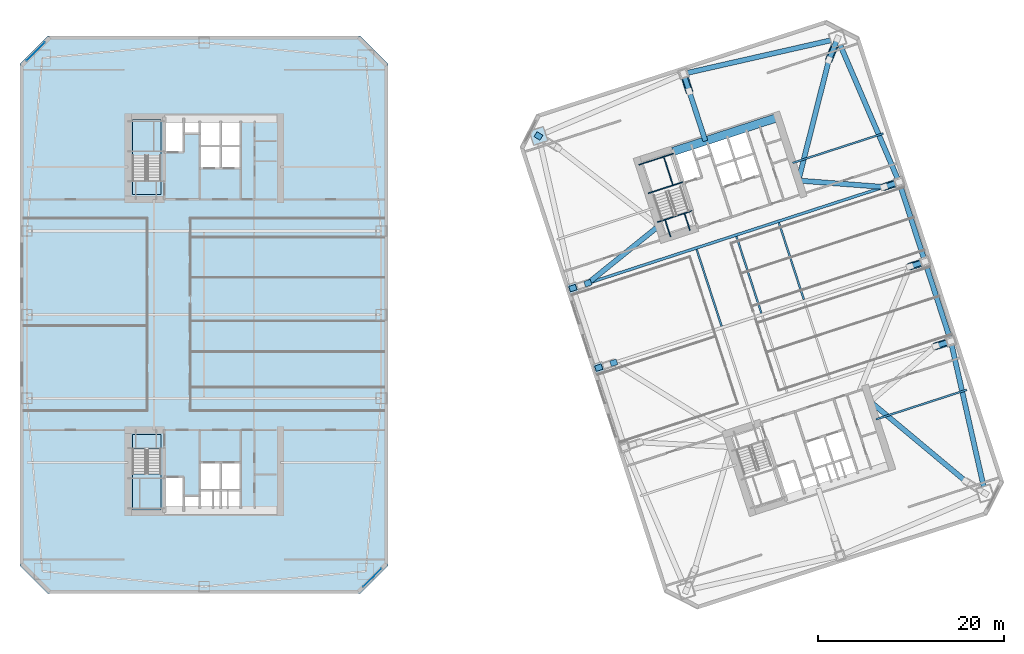
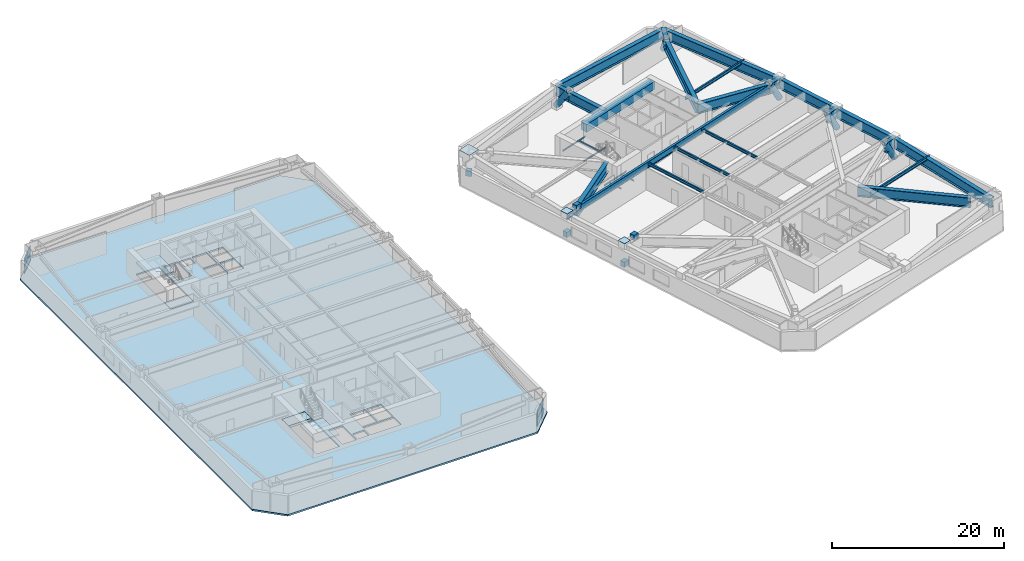
# One storey, part 9 of 18: 28 beams, 12 plates, 5 members, 5 slabs, 4 elements without a shape of their own.
"""IFC4 building model written with IfcOpenShell, lengths in metres."""

from ifc_helpers import new_model, si_unit, direction, frame, origin, origin_2d, place, context, subcontext, project, spatial, polyline, rectangle, hollow_circle, i_section, outline, extrude, material, layer, layer_set, material_profile, profile_set, type_object, element, aggregate, save


model = new_model("IFC4")

# Units and contexts
model_context = context("Model", 3, precision=1e-05, world=origin(), true_north=direction((0.0, 1.0)))
body_context = subcontext(model_context, "Body", "Model", "MODEL_VIEW")
ifc_project = project(units=[si_unit("LENGTHUNIT", "METRE"), si_unit("AREAUNIT", "SQUARE_METRE"), si_unit("VOLUMEUNIT", "CUBIC_METRE"), si_unit("PLANEANGLEUNIT", "RADIAN"), si_unit("MASSUNIT", "GRAM", prefix="KILO")], contexts=[model_context])

# Site, building, storey
site_placement = place(None, origin())
site = spatial("IfcSite", under=ifc_project, at=site_placement, CompositionType="ELEMENT")
building_placement = place(site_placement, origin())
building = spatial("IfcBuilding", under=site, at=building_placement, Name="Qiaolan Cultural Towers", CompositionType="ELEMENT")
storey_placement = place(building_placement, frame((0.0, 0.0, 74.75)))
storey = spatial("IfcBuildingStorey", under=building, at=storey_placement, Name="L18", CompositionType="ELEMENT", Elevation=74.75)

# Beams
ifc_material_1 = material(Name="Steel Q420GJB", Category="steel")
ifc_material_profile_1 = material_profile(ifc_material_1, i_section(OverallWidth=0.550048828125, OverallDepth=1.39990234375, WebThickness=0.031982421875, FlangeThickness=0.050048828125, at=origin_2d()), Name="BH1400x550x32x50")
ifc_profile_set_1 = profile_set([ifc_material_profile_1], Name="Steel Q420GJB")
beam_type_1 = type_object("IfcBeamType", Name="BM-BH1400x550x32x50", PredefinedType="BEAM", material=ifc_profile_set_1)
beam_1_placement = place(storey_placement, frame((111.930908203125, 16.080078125, 2.530029296875), z_axis=(-0.767936882971, 0.640525521563, 0.0), x_axis=(-0.640525521563, -0.767936882971, 0.0)))
element("IfcBeam", 1, at=beam_1_placement, inside=storey, type_object=beam_type_1, Name="L18 T2 Setback Transfer Girder MC-SE-B", PredefinedType="BEAM", context=body_context, shape_type="SweptSolid", body=[
    extrude(i_section(OverallWidth=0.550048828125, OverallDepth=1.39990234375, WebThickness=0.031982421875, FlangeThickness=0.050048828125, at=origin_2d()), origin(), (0.0, 0.0, 1.0), 13.372802734375),
])
beam_2_placement = place(storey_placement, frame((98.137451171875, 63.67724609375, 2.530029296875), z_axis=(-0.375732642979, -0.926728105217, 0.0), x_axis=(0.926728105217, -0.375732642979, 0.0)))
element("IfcBeam", 2, at=beam_2_placement, inside=storey, type_object=beam_type_1, Name="L18 T2 Setback Transfer Girder MC-NE-A", PredefinedType="BEAM", context=body_context, shape_type="SweptSolid", body=[
    extrude(i_section(OverallWidth=0.550048828125, OverallDepth=1.39990234375, WebThickness=0.031982421875, FlangeThickness=0.050048828125, at=origin_2d()), origin(), (0.0, 0.0, 1.0), 2.4697265625),
])
beam_3_placement = place(storey_placement, frame((97.20947265625, 61.388427734375, 2.530029296875), z_axis=(-0.244777250928, -0.96957934045, 0.0), x_axis=(0.96957934045, -0.244777250928, 0.0)))
element("IfcBeam", 3, at=beam_3_placement, inside=storey, type_object=beam_type_1, Name="L18 T2 Setback Transfer Girder MC-NE-B", PredefinedType="BEAM", context=body_context, shape_type="SweptSolid", body=[
    extrude(i_section(OverallWidth=0.550048828125, OverallDepth=1.39990234375, WebThickness=0.031982421875, FlangeThickness=0.050048828125, at=origin_2d()), origin(), (0.0, 0.0, 1.0), 13.373046875),
])
beam_4_placement = place(storey_placement, frame((71.28857421875, 37.383544921875, 2.530029296875), z_axis=(0.777884017096, 0.628407873874, 0.0), x_axis=(-0.628407873874, 0.777884017096, 0.0)))
element("IfcBeam", 4, at=beam_4_placement, inside=storey, type_object=beam_type_1, Name="L18 T2 Setback Transfer Girder PC-W3-B", PredefinedType="BEAM", context=body_context, shape_type="SweptSolid", body=[
    extrude(i_section(OverallWidth=0.550048828125, OverallDepth=1.39990234375, WebThickness=0.031982421875, FlangeThickness=0.050048828125, at=origin_2d()), origin(), (0.0, 0.0, 1.0), 9.796630859375),
])
for number, where, z_axis, x_axis, name in (
    (5, (110.328125, 31.141845703125, 2.530029296875), (-0.951040401051, -0.309066587596, 0.0), (0.309066587596, -0.951040401051, 0.0), "L18 T2 Setback Transfer Girder PC-E1-A"),
    (6, (107.546875, 39.701416015625, 2.530029296875), (-0.951040401051, -0.309066587596, 0.0), (0.309066587596, -0.951040401051, 0.0), "L18 T2 Setback Transfer Girder PC-E2-A"),
):
    element("IfcBeam", number, at=place(storey_placement, frame(where, z_axis=z_axis, x_axis=x_axis)), inside=storey, type_object=beam_type_1, Name=name, PredefinedType="BEAM", context=body_context, shape_type="SweptSolid", body=[
        extrude(i_section(OverallWidth=0.550048828125, OverallDepth=1.39990234375, WebThickness=0.031982421875, FlangeThickness=0.050048828125, at=origin_2d()), origin(), (0.0, 0.0, 1.0), 1.699951171875),
    ])
beam_5_placement = place(storey_placement, frame((104.765869140625, 48.260986328125, 2.530029296875), z_axis=(-0.951054116971, -0.309024378638, 0.0), x_axis=(0.309024378638, -0.951054116971, 0.0)))
element("IfcBeam", 7, at=beam_5_placement, inside=storey, type_object=beam_type_1, Name="L18 T2 Setback Transfer Girder PC-E3-A", PredefinedType="BEAM", context=body_context, shape_type="SweptSolid", body=[
    extrude(i_section(OverallWidth=0.550048828125, OverallDepth=1.39990234375, WebThickness=0.031982421875, FlangeThickness=0.050048828125, at=origin_2d()), origin(), (0.0, 0.0, 1.0), 1.7001953125),
])
beam_6_placement = place(storey_placement, frame((103.14892578125, 47.735595703125, 2.530029296875), z_axis=(-0.997235065763, 0.074311665384, 0.0), x_axis=(-0.074311665384, -0.997235065763, 0.0)))
element("IfcBeam", 8, at=beam_6_placement, inside=storey, type_object=beam_type_1, Name="L18 T2 Setback Transfer Girder PC-E3-B", PredefinedType="BEAM", context=body_context, shape_type="SweptSolid", body=[
    extrude(i_section(OverallWidth=0.550048828125, OverallDepth=1.39990234375, WebThickness=0.031982421875, FlangeThickness=0.050048828125, at=origin_2d()), origin(), (0.0, 0.0, 1.0), 9.238525390625),
])
beam_7_placement = place(storey_placement, frame((81.579345703125, 59.916259765625, 2.530029296875), z_axis=(0.308967378027, -0.951072636193, 0.0), x_axis=(0.951072636193, 0.308967378027, 0.0)))
element("IfcBeam", 9, at=beam_7_placement, inside=storey, type_object=beam_type_1, Name="L18 T2 Setback Transfer Girder PC-N0-A", PredefinedType="BEAM", context=body_context, shape_type="SweptSolid", body=[
    extrude(i_section(OverallWidth=0.550048828125, OverallDepth=1.39990234375, WebThickness=0.031982421875, FlangeThickness=0.050048828125, at=origin_2d()), origin(), (0.0, 0.0, 1.0), 2.0),
])
beam_8_placement = place(storey_placement, frame((82.197265625, 58.01416015625, 2.530029296875), z_axis=(0.309012137225, -0.951058094465, 0.0), x_axis=(0.951058094465, 0.309012137225, 0.0)))
element("IfcBeam", 10, at=beam_8_placement, inside=storey, type_object=beam_type_1, Name="L18 T2 Setback Transfer Girder PC-N0-B", PredefinedType="BEAM", context=body_context, shape_type="SweptSolid", body=[
    extrude(i_section(OverallWidth=0.550048828125, OverallDepth=1.39990234375, WebThickness=0.031982421875, FlangeThickness=0.050048828125, at=origin_2d()), origin(), (0.0, 0.0, 1.0), 5.60009765625),
])
beam_9_placement = place(storey_placement, frame((114.027099609375, 14.77392578125, 2.489990234375), z_axis=(-0.220430557386, 0.975402670373, 0.0), x_axis=(-0.975402670373, -0.220430557386, 0.0)))
element("IfcBeam", 11, at=beam_9_placement, inside=storey, type_object=beam_type_1, Name="L18 T2 Perimeter Spandrel Beam 3", PredefinedType="BEAM", context=body_context, shape_type="SweptSolid", body=[
    extrude(i_section(OverallWidth=0.550048828125, OverallDepth=1.39990234375, WebThickness=0.031982421875, FlangeThickness=0.050048828125, at=origin_2d()), origin(), (0.0, 0.0, 1.0), 16.78076171875),
])
for number, where, z_axis, x_axis, name in (
    (12, (110.328125, 31.141845703125, 2.489990234375), (-0.309024734286, 0.951054001411, 0.0), (-0.951054001411, -0.309024734286, 0.0), "L18 T2 Perimeter Spandrel Beam 4"),
    (13, (107.546875, 39.701416015625, 2.489990234375), (-0.309000197986, 0.951061973609, 0.0), (-0.951061973609, -0.309000197986, 0.0), "L18 T2 Perimeter Spandrel Beam 5"),
):
    element("IfcBeam", number, at=place(storey_placement, frame(where, z_axis=z_axis, x_axis=x_axis)), inside=storey, type_object=beam_type_1, Name=name, PredefinedType="BEAM", context=body_context, shape_type="SweptSolid", body=[
        extrude(i_section(OverallWidth=0.550048828125, OverallDepth=1.39990234375, WebThickness=0.031982421875, FlangeThickness=0.050048828125, at=origin_2d()), origin(), (0.0, 0.0, 1.0), 9.0),
    ])
beam_10_placement = place(storey_placement, frame((104.765869140625, 48.260986328125, 2.489990234375), z_axis=(-0.394998896054, 0.918681594524, 0.0), x_axis=(-0.918681594524, -0.394998896054, 0.0)))
element("IfcBeam", 14, at=beam_10_placement, inside=storey, type_object=beam_type_1, Name="L18 T2 Perimeter Spandrel Beam 6", PredefinedType="BEAM", context=body_context, shape_type="SweptSolid", body=[
    extrude(i_section(OverallWidth=0.550048828125, OverallDepth=1.39990234375, WebThickness=0.031982421875, FlangeThickness=0.050048828125, at=origin_2d()), origin(), (0.0, 0.0, 1.0), 16.78076171875),
])
beam_11_placement = place(storey_placement, frame((98.137451171875, 63.67724609375, 2.489990234375), z_axis=(-0.975161095889, -0.221496810506, 0.0), x_axis=(0.221496810506, -0.975161095889, 0.0)))
element("IfcBeam", 15, at=beam_11_placement, inside=storey, type_object=beam_type_1, Name="L18 T2 Perimeter Spandrel Beam 7", PredefinedType="BEAM", context=body_context, shape_type="SweptSolid", body=[
    extrude(i_section(OverallWidth=0.550048828125, OverallDepth=1.39990234375, WebThickness=0.031982421875, FlangeThickness=0.050048828125, at=origin_2d()), origin(), (0.0, 0.0, 1.0), 16.97998046875),
])
ifc_material_2 = material(Name="Steel Q355B", Category="steel")
ifc_material_profile_2 = material_profile(ifc_material_2, i_section(OverallWidth=0.300048828125, OverallDepth=0.89990234375, WebThickness=0.01611328125, FlangeThickness=0.028076171875, at=origin_2d()), Name="HN900x300x16x28")
ifc_profile_set_2 = profile_set([ifc_material_profile_2], Name="Steel Q355B")
beam_type_2 = type_object("IfcBeamType", Name="BM-HN900x300x16x28", PredefinedType="BEAM", material=ifc_profile_set_2)
beam_12_placement = place(storey_placement, frame((69.671875, 36.858154296875, 2.739990234375), z_axis=(0.951055702987, 0.309019497469, 0.0), x_axis=(-0.309019497469, 0.951055702987, 0.0)))
element("IfcBeam", 16, at=beam_12_placement, inside=storey, type_object=beam_type_2, Name="L18 T2 Primary Transverse Girder V3", PredefinedType="BEAM", context=body_context, shape_type="SweptSolid", body=[
    extrude(i_section(OverallWidth=0.300048828125, OverallDepth=0.89990234375, WebThickness=0.01611328125, FlangeThickness=0.028076171875, at=origin_2d()), origin(), (0.0, 0.0, 1.0), 36.900146484375),
])
ifc_material_3 = material(Name="Steel Q355B", Category="steel")
ifc_material_profile_3 = material_profile(ifc_material_3, i_section(OverallWidth=0.199951171875, OverallDepth=0.39990234375, WebThickness=0.008056640625, FlangeThickness=0.012939453125, at=origin_2d()), Name="HN400x200x8x13")
ifc_profile_set_3 = profile_set([ifc_material_profile_3], Name="Steel Q355B")
beam_type_3 = type_object("IfcBeamType", Name="BM-JST-HN400x200x8x13", PredefinedType="JOIST", material=ifc_profile_set_3)
for number, where, z_axis, x_axis, name in (
    (17, (85.673828125, 32.752197265625, 2.989990234375), (-0.309020714809, 0.951055307445, 0.0), (-0.951055307445, -0.309020714809, 0.0), "L18 T2 Secondary Floor Joist U1-3"),
    (18, (89.95361328125, 34.142578125, 2.989990234375), (-0.309020714809, 0.951055307445, 0.0), (-0.951055307445, -0.309020714809, 0.0), "L18 T2 Secondary Floor Joist U2-3"),
    (19, (94.518798828125, 35.6259765625, 2.989990234375), (-0.309020714809, 0.951055307445, 0.0), (-0.951055307445, -0.309020714809, 0.0), "L18 T2 Secondary Floor Joist U3-3"),
):
    element("IfcBeam", number, at=place(storey_placement, frame(where, z_axis=z_axis, x_axis=x_axis)), inside=storey, type_object=beam_type_3, Name=name, PredefinedType="JOIST", context=body_context, shape_type="SweptSolid", body=[
        extrude(i_section(OverallWidth=0.199951171875, OverallDepth=0.39990234375, WebThickness=0.008056640625, FlangeThickness=0.012939453125, at=origin_2d()), origin(), (0.0, 0.0, 1.0), 8.699951171875),
    ])
ifc_material_4 = material(Name="Steel Q355B", Category="steel")
ifc_material_profile_4 = material_profile(ifc_material_4, i_section(OverallWidth=0.199951171875, OverallDepth=0.449951171875, WebThickness=0.009033203125, FlangeThickness=0.013916015625, at=origin_2d()), Name="HN450x200x9x14")
ifc_profile_set_4 = profile_set([ifc_material_profile_4], Name="Steel Q355B")
beam_type_4 = type_object("IfcBeamType", Name="BM-LNT-HN450x200x9x14", PredefinedType="LINTEL", material=ifc_profile_set_4)
beam_13_placement = place(storey_placement, frame((102.279296875, 22.74365234375, 2.965087890625), z_axis=(0.951056820587, 0.309016057859, 0.0), x_axis=(-0.309016057859, 0.951056820587, 0.0)))
element("IfcBeam", 20, at=beam_13_placement, inside=storey, type_object=beam_type_4, Name="L18 T2 Core Flank Tie Lintel ES", PredefinedType="LINTEL", context=body_context, shape_type="SweptSolid", body=[
    extrude(i_section(OverallWidth=0.199951171875, OverallDepth=0.449951171875, WebThickness=0.009033203125, FlangeThickness=0.013916015625, at=origin_2d()), origin(), (0.0, 0.0, 1.0), 10.250244140625),
])
beam_14_placement = place(storey_placement, frame((93.31787109375, 50.32421875, 2.965087890625), z_axis=(0.951054546097, 0.309023057955, 0.0), x_axis=(-0.309023057955, 0.951054546097, 0.0)))
element("IfcBeam", 21, at=beam_14_placement, inside=storey, type_object=beam_type_4, Name="L18 T2 Core Flank Tie Lintel EN", PredefinedType="LINTEL", context=body_context, shape_type="SweptSolid", body=[
    extrude(i_section(OverallWidth=0.199951171875, OverallDepth=0.449951171875, WebThickness=0.009033203125, FlangeThickness=0.013916015625, at=origin_2d()), origin(), (0.0, 0.0, 1.0), 10.25),
])
ifc_material_5 = material(Name="Concrete C50", Category="concrete")
ifc_material_profile_5 = material_profile(ifc_material_5, rectangle(XDim=0.89990234375, YDim=1.10009765625, at=origin_2d()), Name="RC900x1100")
ifc_profile_set_5 = profile_set([ifc_material_profile_5], Name="Concrete C50")
beam_type_5 = type_object("IfcBeamType", Name="BM-RC900x1100", PredefinedType="BEAM", material=ifc_profile_set_5)
beam_15_placement = place(storey_placement, frame((80.427978515625, 51.551025390625, 2.639892578125), z_axis=(0.951056266386, 0.309017763514, 0.0), x_axis=(-0.309017763514, 0.951056266386, 0.0)))
element("IfcBeam", 22, at=beam_15_placement, inside=storey, type_object=beam_type_5, Name="L18 T2 Core Header Girder N", PredefinedType="BEAM", context=body_context, shape_type="SweptSolid", body=[
    extrude(rectangle(XDim=0.89990234375, YDim=1.10009765625, at=origin_2d()), origin(), (0.0, 0.0, 1.0), 11.880126953125),
])
ifc_material_6 = material(Name="Steel Q355B", Category="steel")
ifc_material_profile_6 = material_profile(ifc_material_6, i_section(OverallWidth=0.10009765625, OverallDepth=0.199951171875, WebThickness=0.005615234375, FlangeThickness=0.008056640625, at=origin_2d()), Name="HN200x100x5.5x8")
ifc_profile_set_6 = profile_set([ifc_material_profile_6], Name="Steel Q355B")
beam_type_6 = type_object("IfcBeamType", Name="BM-STTRIM-200", PredefinedType="BEAM", material=ifc_profile_set_6)
beam_16_placement = place(storey_placement, frame((78.773193359375, 43.958251953125, -0.4599609375), z_axis=(0.951072048947, 0.3089691857, 0.0), x_axis=(-0.3089691857, 0.951072048947, 0.0)))
element("IfcBeam", 23, at=beam_16_placement, inside=storey, type_object=beam_type_6, Name="L18 ST-E2 Floor Landing Header Beam", PredefinedType="BEAM", context=body_context, shape_type="SweptSolid", body=[
    extrude(i_section(OverallWidth=0.10009765625, OverallDepth=0.199951171875, WebThickness=0.005615234375, FlangeThickness=0.008056640625, at=origin_2d()), origin(), (0.0, 0.0, 1.0), 3.920166015625),
])
for number, where, z_axis, x_axis, name in (
    (24, (80.18115234375, 42.375732421875, -0.4599609375), (-0.308969394428, 0.951071981138, 0.0), (-0.951071981138, -0.308969394428, 0.0), "L18 ST-E2 Floor Landing Stringer 1"),
    (25, (82.2734375, 43.0556640625, -0.4599609375), (-0.308969394428, 0.951071981138, 0.0), (-0.951071981138, -0.308969394428, 0.0), "L18 ST-E2 Floor Landing Stringer 2"),
):
    element("IfcBeam", number, at=place(storey_placement, frame(where, z_axis=z_axis, x_axis=x_axis)), inside=storey, type_object=beam_type_6, Name=name, PredefinedType="BEAM", context=body_context, shape_type="SweptSolid", body=[
        extrude(i_section(OverallWidth=0.10009765625, OverallDepth=0.199951171875, WebThickness=0.005615234375, FlangeThickness=0.008056640625, at=origin_2d()), origin(), (0.0, 0.0, 1.0), 1.93994140625),
    ])
for number, where, z_axis, x_axis, name in (
    (26, (77.769287109375, 47.0478515625, 1.425048828125), (0.951053746643, 0.309025518358, 0.0), (-0.309025518358, 0.951053746643, 0.0), "L18 ST-E2 Stair Landing Support Beam 1-1"),
    (27, (76.770751953125, 50.12109375, 1.425048828125), (0.951072048947, 0.3089691857, 0.0), (-0.3089691857, 0.951072048947, 0.0), "L18 ST-E2 Stair Landing Support Beam 1-2"),
):
    element("IfcBeam", number, at=place(storey_placement, frame(where, z_axis=z_axis, x_axis=x_axis)), inside=storey, type_object=beam_type_6, Name=name, PredefinedType="BEAM", context=body_context, shape_type="SweptSolid", body=[
        extrude(i_section(OverallWidth=0.10009765625, OverallDepth=0.199951171875, WebThickness=0.005615234375, FlangeThickness=0.008056640625, at=origin_2d()), origin(), (0.0, 0.0, 1.0), 3.920166015625),
    ])
beam_17_placement = place(storey_placement, frame((80.44189453125, 47.916259765625, 1.425048828125), z_axis=(-0.309033108495, 0.951051280349, 0.0), x_axis=(-0.951051280349, -0.309033108495, 0.0)))
element("IfcBeam", 28, at=beam_17_placement, inside=storey, type_object=beam_type_6, Name="L18 ST-E2 Stair Landing Trimmer 1", PredefinedType="BEAM", context=body_context, shape_type="SweptSolid", body=[
    extrude(i_section(OverallWidth=0.10009765625, OverallDepth=0.199951171875, WebThickness=0.005615234375, FlangeThickness=0.008056640625, at=origin_2d()), origin(), (0.0, 0.0, 1.0), 3.231201171875),
])

# Members
ifc_material_7 = material(Name="Steel Q390GJB", Category="steel")
ifc_material_profile_7 = material_profile(ifc_material_7, hollow_circle(Radius=0.39990234375, WallThickness=0.0400390625, at=origin_2d()), Name="CHS800x40")
ifc_profile_set_7 = profile_set([ifc_material_profile_7], Name="Steel Q390GJB")
member_type = type_object("IfcMemberType", Name="MBR-BRC-CHS800x40", PredefinedType="BRACE", material=ifc_profile_set_7)
member_1_placement = place(storey_placement, frame((98.137451171875, 63.67724609375, 0.300048828125), z_axis=(-0.242164684407, -0.597288586245, 0.764593101177), x_axis=(0.926728105217, -0.375732642979, 0.0)))
element("IfcMember", 29, at=member_1_placement, inside=storey, type_object=member_type, Name="L18 T2 Setback Transfer Raker Strut MC-NE", PredefinedType="BRACE", context=body_context, shape_type="SweptSolid", body=[
    extrude(hollow_circle(Radius=0.39990234375, WallThickness=0.0400390625, at=origin_2d()), origin(), (0.0, 0.0, 1.0), 3.83203125),
])
for number, where, z_axis, x_axis, name in (
    (30, (110.328125, 31.141845703125, 0.300048828125), (-0.477273205908, -0.155102980839, 0.864958584128), (0.309066587596, -0.951040401051, 0.0), "L18 T2 Setback Transfer Raker Strut PC-E1"),
    (31, (107.546875, 39.701416015625, 0.300048828125), (-0.477273205908, -0.155102980839, 0.864958584128), (0.309066587596, -0.951040401051, 0.0), "L18 T2 Setback Transfer Raker Strut PC-E2"),
    (32, (104.765869140625, 48.260986328125, 0.300048828125), (-0.477328859224, -0.155097645335, 0.864928829768), (0.309024378638, -0.951054116971, 0.0), "L18 T2 Setback Transfer Raker Strut PC-E3"),
):
    element("IfcMember", number, at=place(storey_placement, frame(where, z_axis=z_axis, x_axis=x_axis)), inside=storey, type_object=member_type, Name=name, PredefinedType="BRACE", context=body_context, shape_type="SweptSolid", body=[
        extrude(hollow_circle(Radius=0.39990234375, WallThickness=0.0400390625, at=origin_2d()), origin(), (0.0, 0.0, 1.0), 3.387451171875),
    ])
member_2_placement = place(storey_placement, frame((81.579345703125, 59.916259765625, 0.300048828125), z_axis=(0.174187721567, -0.536189861214, 0.82592921633), x_axis=(0.951072636193, 0.308967378027, 0.0)))
element("IfcMember", 33, at=member_2_placement, inside=storey, type_object=member_type, Name="L18 T2 Setback Transfer Raker Strut PC-N0", PredefinedType="BRACE", context=body_context, shape_type="SweptSolid", body=[
    extrude(hollow_circle(Radius=0.39990234375, WallThickness=0.0400390625, at=origin_2d()), origin(), (0.0, 0.0, 1.0), 3.54736328125),
])

# Curtain wall, plates
ifc_material_8 = material(Name="Unitized Anodized Aluminium Curtain Wall System", Category="aluminium")
ifc_layer_1 = layer(ifc_material_8, 0.199951171875)
ifc_layer_set_1 = layer_set([ifc_layer_1], Name="Unitized Anodized Aluminium Curtain Wall System")
curtain_wall_type = type_object("IfcCurtainWallType", Name="CWS-02", PredefinedType="NOTDEFINED", material=ifc_layer_set_1)
curtain_wall_1_placement = place(storey_placement, origin())
curtain_wall_1 = element("IfcCurtainWall", 34, at=curtain_wall_1_placement, inside=storey, type_object=curtain_wall_type, Name="L18 T1 Chamfer Wind-Corner Feature Curtain Wall 1", PredefinedType="NOTDEFINED")
ifc_material_9 = material(Name="Laminated Low-E Insulating Glass Unit", Category="glass")
ifc_layer_2 = layer(ifc_material_9, 0.035888671875)
ifc_layer_set_2 = layer_set([ifc_layer_2], Name="Laminated Low-E Insulating Glass Unit")
plate_type_1 = type_object("IfcPlateType", Name="CWS-02-PNL", PredefinedType="CURTAIN_PANEL", material=ifc_layer_set_2)
plate_1_placement = place(storey_placement, frame((11.89990234375, 62.300048828125, 0.215087890625), z_axis=(0.0, 0.0, 1.0), x_axis=(0.707106781187, 0.707106781187, 0.0)))
plate_1 = element("IfcPlate", 35, at=plate_1_placement, type_object=plate_type_1, Name="CW-2 panel 1.1", PredefinedType="CURTAIN_PANEL", context=body_context, shape_type="SweptSolid", body=[
    extrude(rectangle(XDim=2.735107421875, YDim=0.035888671875, at=origin_2d()), origin(), (0.0, 0.0, 1.0), 1.00244140625),
])
plate_2_placement = place(storey_placement, frame((11.89990234375, 62.300048828125, 1.282470703125), z_axis=(0.0, 0.0, 1.0), x_axis=(0.707106781187, 0.707106781187, 0.0)))
plate_2 = element("IfcPlate", 36, at=plate_2_placement, type_object=plate_type_1, Name="CW-2 panel 1.2", PredefinedType="CURTAIN_PANEL", context=body_context, shape_type="SweptSolid", body=[
    extrude(rectangle(XDim=2.735107421875, YDim=0.035888671875, at=origin_2d()), origin(), (0.0, 0.0, 1.0), 1.16259765625),
])
aggregate(curtain_wall_1, [plate_1, plate_2])

curtain_wall_2_placement = place(storey_placement, origin())
curtain_wall_2 = element("IfcCurtainWall", 37, at=curtain_wall_2_placement, inside=storey, type_object=curtain_wall_type, Name="L18 T1 Chamfer Wind-Corner Feature Curtain Wall 2", PredefinedType="NOTDEFINED")
plate_3_placement = place(storey_placement, frame((48.10009765625, 5.699951171875, 0.215087890625), z_axis=(0.0, 0.0, 1.0), x_axis=(-0.707106781187, -0.707106781187, 0.0)))
plate_3 = element("IfcPlate", 38, at=plate_3_placement, type_object=plate_type_1, Name="CW-2 panel 1.1", PredefinedType="CURTAIN_PANEL", context=body_context, shape_type="SweptSolid", body=[
    extrude(rectangle(XDim=2.735107421875, YDim=0.035888671875, at=origin_2d()), origin(), (0.0, 0.0, 1.0), 1.00244140625),
])
plate_4_placement = place(storey_placement, frame((48.10009765625, 5.699951171875, 1.282470703125), z_axis=(0.0, 0.0, 1.0), x_axis=(-0.707106781187, -0.707106781187, 0.0)))
plate_4 = element("IfcPlate", 39, at=plate_4_placement, type_object=plate_type_1, Name="CW-2 panel 1.2", PredefinedType="CURTAIN_PANEL", context=body_context, shape_type="SweptSolid", body=[
    extrude(rectangle(XDim=2.735107421875, YDim=0.035888671875, at=origin_2d()), origin(), (0.0, 0.0, 1.0), 1.16259765625),
])
aggregate(curtain_wall_2, [plate_3, plate_4])

# Plates
ifc_material_10 = material(Name="Steel Q355B", Category="steel")
ifc_layer_3 = layer(ifc_material_10, 0.035888671875)
ifc_layer_set_3 = layer_set([ifc_layer_3], Name="Steel Q355B")
plate_type_2 = type_object("IfcPlateType", Name="PL-CONN-36", PredefinedType="USERDEFINED", material=ifc_layer_set_3)
for number, where, z_axis, x_axis, name in (
    (40, (65.972900390625, 53.22607421875, -0.06982421875), (0.0, 0.0, 1.0), (-0.848721520458, 0.528840033197, 0.0), "L18 Brace End Connection Gusset Plate GP-02-0058"),
    (41, (72.453125, 28.298583984375, -0.06982421875), (0.0, 0.0, 1.0), (0.951056494722, 0.309017060771, 0.0), "L18 Brace End Connection Gusset Plate GP-02-0062"),
    (42, (74.06982421875, 28.823974609375, 2.85986328125), (0.0, 0.0, 1.0), (0.951056494722, 0.309017060771, 0.0), "L18 Brace End Connection Gusset Plate GP-02-0063"),
    (43, (69.671875, 36.858154296875, -0.06982421875), (0.0, 0.0, 1.0), (0.951056494722, 0.309017060771, 0.0), "L18 Brace End Connection Gusset Plate GP-02-0064"),
    (44, (71.28857421875, 37.383544921875, 2.85986328125), (0.0, 0.0, 1.0), (0.951056494722, 0.309017060771, 0.0), "L18 Brace End Connection Gusset Plate GP-02-0065"),
):
    element("IfcPlate", number, at=place(storey_placement, frame(where, z_axis=z_axis, x_axis=x_axis)), inside=storey, type_object=plate_type_2, Name=name, ObjectType="GUSSET_PLATE", PredefinedType="USERDEFINED", context=body_context, shape_type="SweptSolid", body=[
        extrude(rectangle(XDim=0.739990234375, YDim=0.6201171875, at=origin_2d()), origin(), (0.0, 0.0, 1.0), 0.739990234375),
    ])
ifc_material_11 = material(Name="Steel Q355B", Category="steel")
ifc_layer_4 = layer(ifc_material_11, 0.030029296875)
ifc_layer_set_4 = layer_set([ifc_layer_4], Name="Steel Q355B")
plate_type_3 = type_object("IfcPlateType", Name="PL-ENDCAP-30", PredefinedType="USERDEFINED", material=ifc_layer_set_4)
plate_5_placement = place(storey_placement, frame((65.972900390625, 53.22607421875, 3.451171875), z_axis=(0.0, 0.0, 1.0), x_axis=(0.951056516295, 0.309016994375, 0.0)))
element("IfcPlate", 45, at=plate_5_placement, inside=storey, type_object=plate_type_3, Name="Tower Box Column Transition Seal Cap Plate CP-01", ObjectType="BASE_PLATE", PredefinedType="USERDEFINED", context=body_context, shape_type="SweptSolid", body=[
    extrude(rectangle(XDim=1.639892578125, YDim=1.639892578125, at=origin_2d()), origin(), (0.0, 0.0, 1.0), 0.030029296875),
])
for number, where, z_axis, x_axis, name in (
    (46, (72.453125, 28.298583984375, 3.451171875), (0.0, 0.0, 1.0), (0.951056516295, 0.309016994375, 0.0), "Tower Box Column Transition Seal Cap Plate CP-01"),
    (47, (69.671875, 36.858154296875, 3.451171875), (0.0, 0.0, 1.0), (0.951056516295, 0.309016994375, 0.0), "Tower Box Column Transition Seal Cap Plate CP-01"),
):
    element("IfcPlate", number, at=place(storey_placement, frame(where, z_axis=z_axis, x_axis=x_axis)), inside=storey, type_object=plate_type_3, Name=name, ObjectType="BASE_PLATE", PredefinedType="USERDEFINED", context=body_context, shape_type="SweptSolid", body=[
        extrude(rectangle(XDim=1.0400390625, YDim=1.0400390625, at=origin_2d()), origin(), (0.0, 0.0, 1.0), 0.030029296875),
    ])

# Stair, slab
ifc_material_12 = material(Name="Concrete C45", Category="concrete")
stair_type = type_object("IfcStairType", Name="STR-CORE-1500", PredefinedType="HALF_TURN_STAIR", material=ifc_material_12)
stair_1_placement = place(storey_placement, origin())
stair_1 = element("IfcStair", 48, at=stair_1_placement, inside=storey, type_object=stair_type, Name="L18 Smokeproof Exit Stair ST-W1", PredefinedType="HALF_TURN_STAIR")
ifc_material_13 = material(Name="Concrete C45", Category="concrete")
ifc_layer_5 = layer(ifc_material_13, 0.199951171875)
ifc_layer_set_5 = layer_set([ifc_layer_5], Name="Concrete C45")
slab_type_1 = type_object("IfcSlabType", Name="SL-STAIR-LAND", PredefinedType="LANDING", material=ifc_layer_set_5)
slab_1_placement = place(storey_placement, frame((0.0, 0.0, 1.52490234375)))
slab_1 = element("IfcSlab", 49, at=slab_1_placement, type_object=slab_type_1, Name="ST-W1 landing 1", PredefinedType="LANDING", context=body_context, shape_type="SweptSolid", body=[
    extrude(outline(polyline([(22.300048828125, 16.851318359375), (22.300048828125, 13.0), (25.3798828125, 13.0), (25.3798828125, 16.851318359375), (22.300048828125, 16.851318359375)])), origin(), (0.0, 0.0, 1.0), 0.2001953125),
])
aggregate(stair_1, [slab_1])

stair_2_placement = place(storey_placement, origin())
stair_2 = element("IfcStair", 50, at=stair_2_placement, inside=storey, type_object=stair_type, Name="L18 Smokeproof Exit Stair ST-W2", PredefinedType="HALF_TURN_STAIR")
slab_2_placement = place(storey_placement, frame((0.0, 0.0, 1.52490234375)))
slab_2 = element("IfcSlab", 51, at=slab_2_placement, type_object=slab_type_1, Name="ST-W2 landing 1", PredefinedType="LANDING", context=body_context, shape_type="SweptSolid", body=[
    extrude(outline(polyline([(25.3798828125, 51.148681640625), (25.3798828125, 55.0), (22.300048828125, 55.0), (22.300048828125, 51.148681640625), (25.3798828125, 51.148681640625)])), origin(), (0.0, 0.0, 1.0), 0.2001953125),
])
aggregate(stair_2, [slab_2])

# Slabs
ifc_material_14 = material(Name="Concrete C40", Category="concrete")
ifc_layer_6 = layer(ifc_material_14, 0.360107421875)
ifc_layer_set_6 = layer_set([ifc_layer_6], Name="Concrete C40")
slab_type_2 = type_object("IfcSlabType", Name="SL-STFLR-360", PredefinedType="LANDING", material=ifc_layer_set_6)
slab_3_placement = place(storey_placement, frame((0.0, 0.0, -0.360107421875)))
element("IfcSlab", 52, at=slab_3_placement, inside=storey, type_object=slab_type_2, Name="L18 ST-W1 Stair Floor Landing Slab", PredefinedType="LANDING", context=body_context, shape_type="SweptSolid", body=[
    extrude(outline(polyline([(22.302001953125, 21.097900390625), (22.302001953125, 19.548583984375), (25.3779296875, 19.548583984375), (25.3779296875, 21.097900390625), (22.302001953125, 21.097900390625)])), origin(), (0.0, 0.0, 1.0), 0.360107421875),
])
slab_4_placement = place(storey_placement, frame((0.0, 0.0, -0.360107421875)))
element("IfcSlab", 53, at=slab_4_placement, inside=storey, type_object=slab_type_2, Name="L18 ST-W2 Stair Floor Landing Slab", PredefinedType="LANDING", context=body_context, shape_type="SweptSolid", body=[
    extrude(outline(polyline([(25.3779296875, 46.902099609375), (25.3779296875, 48.451416015625), (22.302001953125, 48.451416015625), (22.302001953125, 46.902099609375), (25.3779296875, 46.902099609375)])), origin(), (0.0, 0.0, 1.0), 0.360107421875),
])
ifc_material_15 = material(Name="Concrete C45", Category="concrete")
ifc_layer_7 = layer(ifc_material_15, 0.219970703125)
ifc_layer_set_7 = layer_set([ifc_layer_7], Name="Concrete C45")
slab_type_3 = type_object("IfcSlabType", Name="SL-TYP-220", PredefinedType="FLOOR", material=ifc_layer_set_7)
slab_5_placement = place(storey_placement, frame((0.0, 0.0, -0.219970703125)))
element("IfcSlab", 54, at=slab_5_placement, inside=storey, type_object=slab_type_3, Name="L18 West Tower Floor Slab", PredefinedType="FLOOR", context=body_context, shape_type="SweptSolid", body=[
    extrude(outline(polyline([(13.199951171875, 4.0), (46.800048828125, 4.0), (49.800048828125, 7.0), (49.800048828125, 61.0), (46.800048828125, 64.0), (13.199951171875, 64.0), (10.199951171875, 61.0), (10.199951171875, 7.0), (13.199951171875, 4.0)]), holes=[polyline([(22.300048828125, 21.10009765625), (22.300048828125, 13.0), (25.3798828125, 13.0), (25.3798828125, 21.10009765625), (22.300048828125, 21.10009765625)]), polyline([(25.3798828125, 46.89990234375), (25.3798828125, 55.0), (22.300048828125, 55.0), (22.300048828125, 46.89990234375), (25.3798828125, 46.89990234375)]), polyline([(25.89990234375, 13.199951171875), (27.75, 13.199951171875), (27.75, 16.449951171875), (25.89990234375, 16.449951171875), (25.89990234375, 13.199951171875)]), polyline([(27.93994140625, 13.25), (29.449951171875, 13.25), (29.449951171875, 14.419921875), (27.93994140625, 14.419921875), (27.93994140625, 13.25)]), polyline([(29.679931640625, 15.199951171875), (31.679931640625, 15.199951171875), (31.679931640625, 18.0), (29.679931640625, 18.0), (29.679931640625, 15.199951171875)]), polyline([(31.8798828125, 15.199951171875), (33.820068359375, 15.199951171875), (33.820068359375, 18.0), (31.8798828125, 18.0), (31.8798828125, 15.199951171875)]), polyline([(29.679931640625, 13.25), (33.820068359375, 13.25), (33.820068359375, 14.97998046875), (29.679931640625, 14.97998046875), (29.679931640625, 13.25)]), polyline([(25.89990234375, 51.550048828125), (27.75, 51.550048828125), (27.75, 54.800048828125), (25.89990234375, 54.800048828125), (25.89990234375, 51.550048828125)]), polyline([(27.93994140625, 53.580078125), (29.449951171875, 53.580078125), (29.449951171875, 54.75), (27.93994140625, 54.75), (27.93994140625, 53.580078125)]), polyline([(29.679931640625, 49.820068359375), (31.679931640625, 49.820068359375), (31.679931640625, 52.080078125), (29.679931640625, 52.080078125), (29.679931640625, 49.820068359375)]), polyline([(31.8798828125, 49.820068359375), (33.820068359375, 49.820068359375), (33.820068359375, 52.080078125), (31.8798828125, 52.080078125), (31.8798828125, 49.820068359375)]), polyline([(29.679931640625, 52.27001953125), (31.659912109375, 52.27001953125), (31.659912109375, 54.75), (29.679931640625, 54.75), (29.679931640625, 52.27001953125)]), polyline([(31.8798828125, 52.27001953125), (33.820068359375, 52.27001953125), (33.820068359375, 54.75), (31.8798828125, 54.75), (31.8798828125, 52.27001953125)])]), origin(), (0.0, 0.0, 1.0), 0.219970703125),
])

save(model, "model.ifc")
